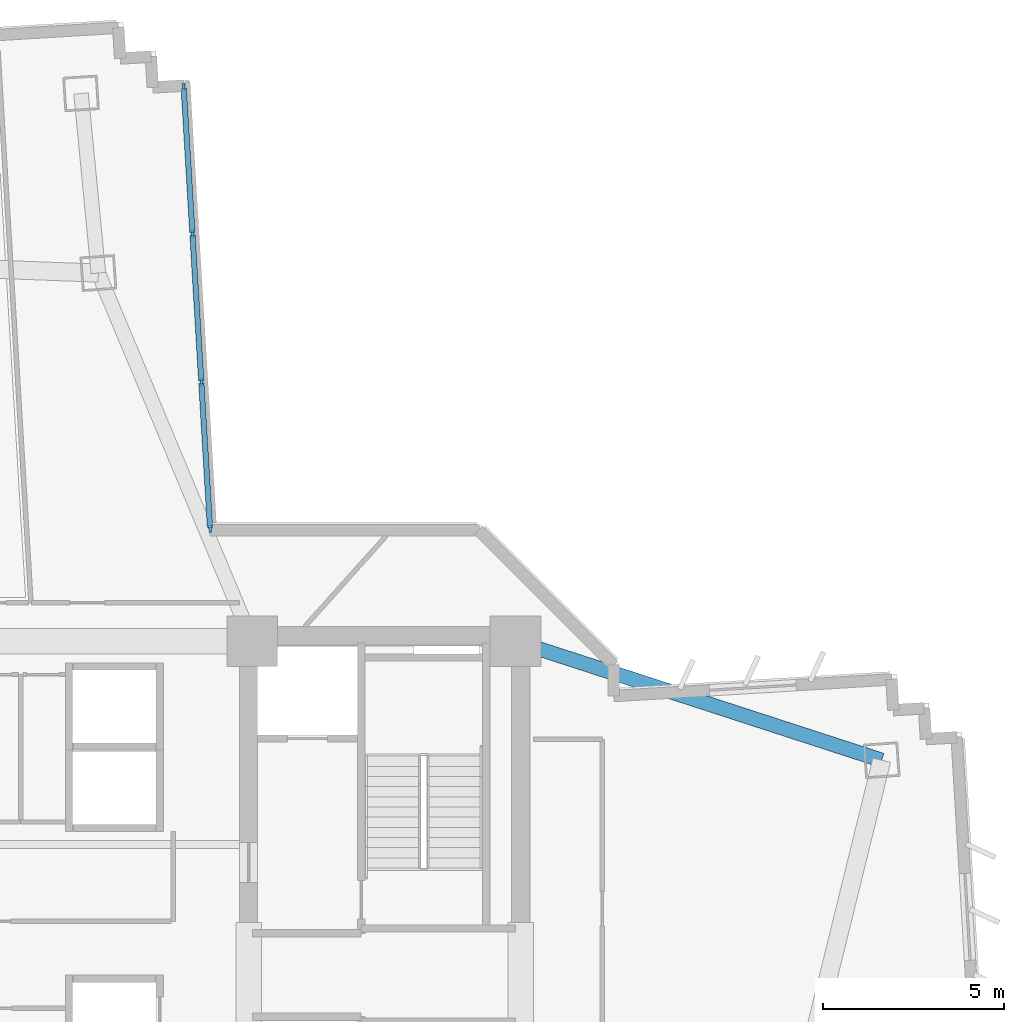
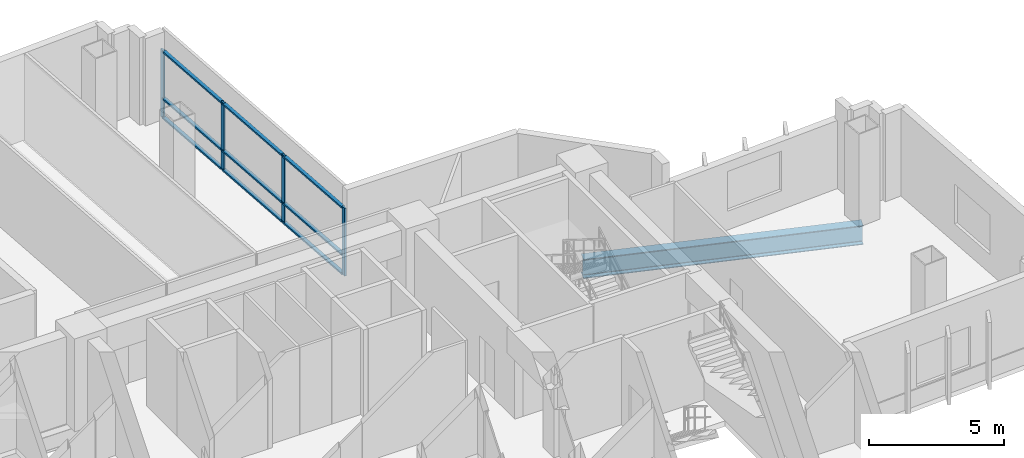
# One storey, part 4 of 15: 13 members, 1 beam, 1 element without a shape of its own.
"""IFC4 building model written with IfcOpenShell, lengths in metres."""

from ifc_helpers import new_model, si_unit, direction, frame, origin, origin_2d, place, context, subcontext, project, spatial, rectangle, i_section, extrude, source, transform, mapped, material, layer, layer_set, material_profile, profile_set, type_object, element, aggregate, save


model = new_model("IFC4")

# Units and contexts
model_context = context("Model", 3, precision=1e-05, world=origin(), true_north=direction((0.0, 1.0)))
body_context = subcontext(model_context, "Body", "Model", "MODEL_VIEW")
ifc_project = project(units=[si_unit("LENGTHUNIT", "METRE"), si_unit("AREAUNIT", "SQUARE_METRE"), si_unit("VOLUMEUNIT", "CUBIC_METRE"), si_unit("PLANEANGLEUNIT", "RADIAN"), si_unit("MASSUNIT", "GRAM", prefix="KILO")], contexts=[model_context])

# Site, building, storey
site_placement = place(None, origin())
site = spatial("IfcSite", under=ifc_project, at=site_placement, CompositionType="ELEMENT")
building_placement = place(site_placement, origin())
building = spatial("IfcBuilding", under=site, at=building_placement, Name="Zahravan Cultural Tower", CompositionType="ELEMENT")
storey_placement = place(building_placement, frame((0.0, 0.0, 66.89990234375)))
storey = spatial("IfcBuildingStorey", under=building, at=storey_placement, Name="L14", CompositionType="ELEMENT", Elevation=66.89990234375)

# Beam
ifc_material_1 = material(Name="Steel ASTM A992 Grade 50", Category="steel")
ifc_material_profile_1 = material_profile(ifc_material_1, i_section(OverallWidth=0.39990234375, OverallDepth=0.862060546875, WebThickness=0.019775390625, FlangeThickness=0.032470703125, FilletRadius=0.02001953125, at=origin_2d()), Name="W33X221")
ifc_profile_set_1 = profile_set([ifc_material_profile_1], Name="Steel ASTM A992 Grade 50")
beam_type = type_object("IfcBeamType", Name="BM-G-W33X221", PredefinedType="BEAM", material=ifc_profile_set_1)
shared_shape_1 = source(origin(), body_context, "Body", "SweptSolid", [
    extrude(i_section(OverallWidth=0.39990234375, OverallDepth=0.862060546875, WebThickness=0.019775390625, FlangeThickness=0.032470703125, FilletRadius=0.02001953125, at=origin_2d()), origin(), (0.0, 0.0, 1.0), 10.615966796875),
])
beam_placement = place(storey_placement, frame((50.35009765625, 36.199951171875, -0.680908203125), z_axis=(0.951063640083, -0.30899506875, 0.0), x_axis=(0.30899506875, 0.951063640083, 0.0)))
element("IfcBeam", 1, at=beam_placement, inside=storey, type_object=beam_type, Name="L14 Beam BG-L14-11", PredefinedType="BEAM", context=body_context, shape_type="MappedRepresentation", body=[
    mapped(shared_shape_1, transform((0.0, 0.0, 0.0), x_axis=(1.0, 0.0, 0.0), y_axis=(0.0, 1.0, 0.0), z_axis=(0.0, 0.0, 1.0), scale=1.0)),
])

# Curtain wall, members
ifc_material_2 = material(Name="Anodised bronze-aluminium mullion", Category="aluminium")
ifc_layer = layer(ifc_material_2, 0.199951171875)
ifc_layer_set = layer_set([ifc_layer], Name="Anodised bronze-aluminium mullion")
curtain_wall_type = type_object("IfcCurtainWallType", Name="CW-SYS-2", PredefinedType="USERDEFINED", material=ifc_layer_set)
curtain_wall_placement = place(storey_placement, origin())
curtain_wall = element("IfcCurtainWall", 2, at=curtain_wall_placement, inside=storey, type_object=curtain_wall_type, Name="L14 Recessed Curtain Wall CW-2.2", ObjectType="RECESSED GLAZING", PredefinedType="USERDEFINED")
ifc_material_profile_2 = material_profile(ifc_material_2, rectangle(XDim=0.074951171875, YDim=0.199951171875, at=origin_2d()), Name="AL-M75X200")
ifc_profile_set_2 = profile_set([ifc_material_profile_2], Name="Anodised bronze-aluminium mullion")
member_type_1 = type_object("IfcMemberType", Name="CWM-CW-2", PredefinedType="MULLION", material=ifc_profile_set_2)
shared_shape_2 = source(origin(), body_context, "Body", "SweptSolid", [
    extrude(rectangle(XDim=0.074951171875, YDim=0.199951171875, at=origin_2d()), origin(), (0.0, 0.0, 1.0), 3.070068359375),
])
member_1_placement = place(storey_placement, frame((41.209228515625, 51.476806640625, 0.0), z_axis=(0.0, 0.0, 1.0), x_axis=(0.998219222021, 0.059652198511, 0.0)))
member_1 = element("IfcMember", 3, at=member_1_placement, type_object=member_type_1, Name="CW-2 mullion 1", PredefinedType="MULLION", context=body_context, shape_type="MappedRepresentation", body=[
    mapped(shared_shape_2, transform((0.0, 0.0, 0.0), x_axis=(1.0, 0.0, 0.0), y_axis=(0.0, 1.0, 0.0), z_axis=(0.0, 0.0, 1.0), scale=1.0)),
])
member_2_placement = place(storey_placement, frame((41.450927734375, 47.429443359375, 0.0), z_axis=(0.0, 0.0, 1.0), x_axis=(0.998219222021, 0.059652198511, 0.0)))
member_2 = element("IfcMember", 4, at=member_2_placement, type_object=member_type_1, Name="CW-2 mullion 2", PredefinedType="MULLION", context=body_context, shape_type="MappedRepresentation", body=[
    mapped(shared_shape_2, transform((0.0, 0.0, 0.0), x_axis=(1.0, 0.0, 0.0), y_axis=(0.0, 1.0, 0.0), z_axis=(0.0, 0.0, 1.0), scale=1.0)),
])
member_3_placement = place(storey_placement, frame((41.695068359375, 43.3447265625, 0.0), z_axis=(0.0, 0.0, 1.0), x_axis=(0.998219222021, 0.059652198511, 0.0)))
member_3 = element("IfcMember", 5, at=member_3_placement, type_object=member_type_1, Name="CW-2 mullion 3", PredefinedType="MULLION", context=body_context, shape_type="MappedRepresentation", body=[
    mapped(shared_shape_2, transform((0.0, 0.0, 0.0), x_axis=(1.0, 0.0, 0.0), y_axis=(0.0, 1.0, 0.0), z_axis=(0.0, 0.0, 1.0), scale=1.0)),
])
member_4_placement = place(storey_placement, frame((41.93701171875, 39.29736328125, 0.0), z_axis=(0.0, 0.0, 1.0), x_axis=(0.998219222021, 0.059652198511, 0.0)))
member_4 = element("IfcMember", 6, at=member_4_placement, type_object=member_type_1, Name="CW-2 mullion 4", PredefinedType="MULLION", context=body_context, shape_type="MappedRepresentation", body=[
    mapped(shared_shape_2, transform((0.0, 0.0, 0.0), x_axis=(1.0, 0.0, 0.0), y_axis=(0.0, 1.0, 0.0), z_axis=(0.0, 0.0, 1.0), scale=1.0)),
])
ifc_material_profile_3 = material_profile(ifc_material_2, rectangle(XDim=0.14990234375, YDim=0.074951171875, at=origin_2d()), Name="AL-T75X150")
ifc_profile_set_3 = profile_set([ifc_material_profile_3], Name="Anodised bronze-aluminium mullion")
member_type_2 = type_object("IfcMemberType", Name="CWT-CW-2", PredefinedType="USERDEFINED", material=ifc_profile_set_3)
shared_shape_3 = source(origin(), body_context, "Body", "SweptSolid", [
    extrude(rectangle(XDim=0.14990234375, YDim=0.074951171875, at=origin_2d()), origin(), (0.0, 0.0, 1.0), 3.9794921875),
])
member_5_placement = place(storey_placement, frame((41.21142578125, 51.439453125, 0.03759765625), z_axis=(0.059631876591, -0.998220436224, 0.0), x_axis=(0.998220436224, 0.059631876591, 0.0)))
member_5 = element("IfcMember", 7, at=member_5_placement, type_object=member_type_2, Name="CW-2 transom 1.1", ObjectType="TRANSOM", PredefinedType="USERDEFINED", context=body_context, shape_type="MappedRepresentation", body=[
    mapped(shared_shape_3, transform((0.0, 0.0, 0.0), x_axis=(1.0, 0.0, 0.0), y_axis=(0.0, 1.0, 0.0), z_axis=(0.0, 0.0, 1.0), scale=1.0)),
])
member_6_placement = place(storey_placement, frame((41.21142578125, 51.439453125, 0.900146484375), z_axis=(0.059631876591, -0.998220436224, 0.0), x_axis=(0.998220436224, 0.059631876591, 0.0)))
member_6 = element("IfcMember", 8, at=member_6_placement, type_object=member_type_2, Name="CW-2 transom 1.2", ObjectType="TRANSOM", PredefinedType="USERDEFINED", context=body_context, shape_type="MappedRepresentation", body=[
    mapped(shared_shape_3, transform((0.0, 0.0, 0.0), x_axis=(1.0, 0.0, 0.0), y_axis=(0.0, 1.0, 0.0), z_axis=(0.0, 0.0, 1.0), scale=1.0)),
])
member_7_placement = place(storey_placement, frame((41.21142578125, 51.439453125, 3.03271484375), z_axis=(0.059631876591, -0.998220436224, 0.0), x_axis=(0.998220436224, 0.059631876591, 0.0)))
member_7 = element("IfcMember", 9, at=member_7_placement, type_object=member_type_2, Name="CW-2 transom 1.3", ObjectType="TRANSOM", PredefinedType="USERDEFINED", context=body_context, shape_type="MappedRepresentation", body=[
    mapped(shared_shape_3, transform((0.0, 0.0, 0.0), x_axis=(1.0, 0.0, 0.0), y_axis=(0.0, 1.0, 0.0), z_axis=(0.0, 0.0, 1.0), scale=1.0)),
])
member_8_placement = place(storey_placement, frame((41.697265625, 43.307373046875, 0.03759765625), z_axis=(0.059693007766, -0.99821678248, 0.0), x_axis=(0.99821678248, 0.059693007766, 0.0)))
member_8 = element("IfcMember", 10, at=member_8_placement, type_object=member_type_2, Name="CW-2 transom 3.1", ObjectType="TRANSOM", PredefinedType="USERDEFINED", context=body_context, shape_type="MappedRepresentation", body=[
    mapped(shared_shape_3, transform((0.0, 0.0, 0.0), x_axis=(1.0, 0.0, 0.0), y_axis=(0.0, 1.0, 0.0), z_axis=(0.0, 0.0, 1.0), scale=1.0)),
])
member_9_placement = place(storey_placement, frame((41.697265625, 43.307373046875, 0.900146484375), z_axis=(0.059693007766, -0.99821678248, 0.0), x_axis=(0.99821678248, 0.059693007766, 0.0)))
member_9 = element("IfcMember", 11, at=member_9_placement, type_object=member_type_2, Name="CW-2 transom 3.2", ObjectType="TRANSOM", PredefinedType="USERDEFINED", context=body_context, shape_type="MappedRepresentation", body=[
    mapped(shared_shape_3, transform((0.0, 0.0, 0.0), x_axis=(1.0, 0.0, 0.0), y_axis=(0.0, 1.0, 0.0), z_axis=(0.0, 0.0, 1.0), scale=1.0)),
])
member_10_placement = place(storey_placement, frame((41.697265625, 43.307373046875, 3.03271484375), z_axis=(0.059693007766, -0.99821678248, 0.0), x_axis=(0.99821678248, 0.059693007766, 0.0)))
member_10 = element("IfcMember", 12, at=member_10_placement, type_object=member_type_2, Name="CW-2 transom 3.3", ObjectType="TRANSOM", PredefinedType="USERDEFINED", context=body_context, shape_type="MappedRepresentation", body=[
    mapped(shared_shape_3, transform((0.0, 0.0, 0.0), x_axis=(1.0, 0.0, 0.0), y_axis=(0.0, 1.0, 0.0), z_axis=(0.0, 0.0, 1.0), scale=1.0)),
])
shared_shape_4 = source(origin(), body_context, "Body", "SweptSolid", [
    extrude(rectangle(XDim=0.14990234375, YDim=0.074951171875, at=origin_2d()), origin(), (0.0, 0.0, 1.0), 4.01708984375),
])
member_11_placement = place(storey_placement, frame((41.453125, 47.39208984375, 0.03759765625), z_axis=(0.059680342409, -0.998217539783, 0.0), x_axis=(0.998217539783, 0.059680342409, 0.0)))
member_11 = element("IfcMember", 13, at=member_11_placement, type_object=member_type_2, Name="CW-2 transom 2.1", ObjectType="TRANSOM", PredefinedType="USERDEFINED", context=body_context, shape_type="MappedRepresentation", body=[
    mapped(shared_shape_4, transform((0.0, 0.0, 0.0), x_axis=(1.0, 0.0, 0.0), y_axis=(0.0, 1.0, 0.0), z_axis=(0.0, 0.0, 1.0), scale=1.0)),
])
member_12_placement = place(storey_placement, frame((41.453125, 47.39208984375, 0.900146484375), z_axis=(0.059680342409, -0.998217539783, 0.0), x_axis=(0.998217539783, 0.059680342409, 0.0)))
member_12 = element("IfcMember", 14, at=member_12_placement, type_object=member_type_2, Name="CW-2 transom 2.2", ObjectType="TRANSOM", PredefinedType="USERDEFINED", context=body_context, shape_type="MappedRepresentation", body=[
    mapped(shared_shape_4, transform((0.0, 0.0, 0.0), x_axis=(1.0, 0.0, 0.0), y_axis=(0.0, 1.0, 0.0), z_axis=(0.0, 0.0, 1.0), scale=1.0)),
])
member_13_placement = place(storey_placement, frame((41.453125, 47.39208984375, 3.03271484375), z_axis=(0.059680342409, -0.998217539783, 0.0), x_axis=(0.998217539783, 0.059680342409, 0.0)))
member_13 = element("IfcMember", 15, at=member_13_placement, type_object=member_type_2, Name="CW-2 transom 2.3", ObjectType="TRANSOM", PredefinedType="USERDEFINED", context=body_context, shape_type="MappedRepresentation", body=[
    mapped(shared_shape_4, transform((0.0, 0.0, 0.0), x_axis=(1.0, 0.0, 0.0), y_axis=(0.0, 1.0, 0.0), z_axis=(0.0, 0.0, 1.0), scale=1.0)),
])
aggregate(curtain_wall, [member_1, member_2, member_3, member_4, member_5, member_6, member_7, member_11, member_12, member_13, member_8, member_9, member_10])

save(model, "model.ifc")
